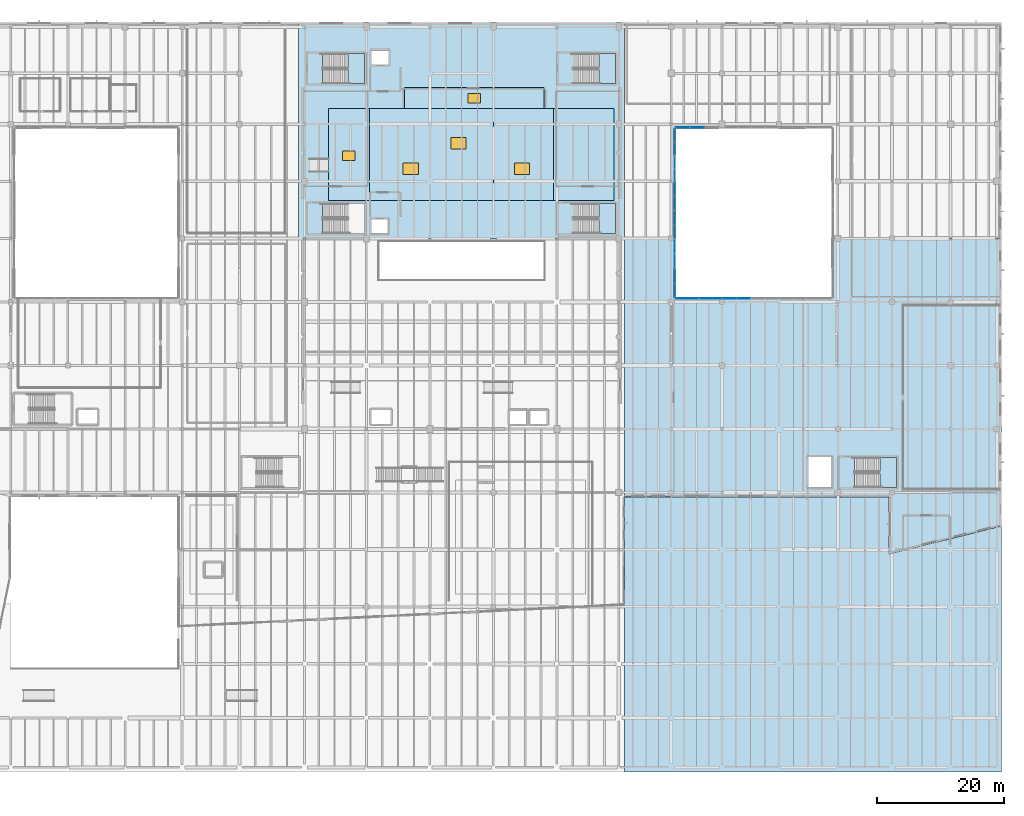
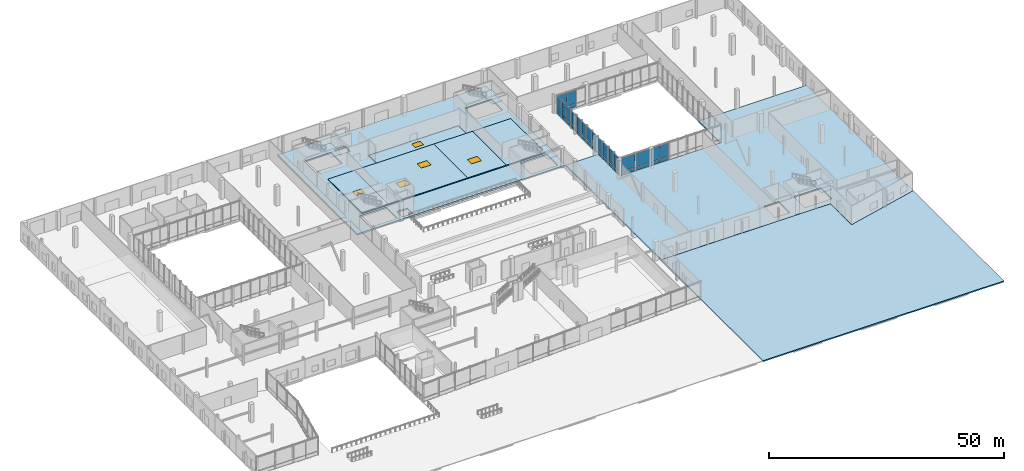
# One storey, part 63 of 88: 36 plates, 12 slabs, 5 doors, 5 openings, 14 elements without a shape of their own.
"""IFC4 building model written with IfcOpenShell, lengths in metres."""

from ifc_helpers import new_model, si_unit, direction, frame, origin, origin_2d, place, context, subcontext, project, spatial, polyline, rectangle, outline, extrude, material, layer, layer_set, type_object, element, fill, aggregate, save


model = new_model("IFC4")

# Units and contexts
model_context = context("Model", 3, precision=1e-05, world=origin(), true_north=direction((0.0, 1.0)))
body_context = subcontext(model_context, "Body", "Model", "MODEL_VIEW")
ifc_project = project(units=[si_unit("LENGTHUNIT", "METRE"), si_unit("AREAUNIT", "SQUARE_METRE"), si_unit("VOLUMEUNIT", "CUBIC_METRE"), si_unit("PLANEANGLEUNIT", "RADIAN"), si_unit("MASSUNIT", "GRAM", prefix="KILO")], contexts=[model_context])

# Site, building, storey
site_placement = place(None, origin())
site = spatial("IfcSite", under=ifc_project, at=site_placement, CompositionType="ELEMENT")
building_placement = place(site_placement, origin())
building = spatial("IfcBuilding", under=site, at=building_placement, Name="Trimount Lyric Opera House", CompositionType="ELEMENT")
storey_placement = place(building_placement, origin())
storey = spatial("IfcBuildingStorey", under=building, at=storey_placement, Name="L00", CompositionType="ELEMENT", Elevation=0.0)

# Curtain wall, plate
ifc_material_1 = material(Name="Thermally Broken Aluminium and Low-E Glass", Category="aluminium")
curtain_wall_type = type_object("IfcCurtainWallType", Name="CW-03", PredefinedType="NOTDEFINED", material=ifc_material_1)
curtain_wall_1_placement = place(storey_placement, origin())
curtain_wall_1 = element("IfcCurtainWall", 1, at=curtain_wall_1_placement, inside=storey, type_object=curtain_wall_type, Name="L00 curtain wall 036", PredefinedType="NOTDEFINED")
ifc_material_2 = material(Name="Triple Low-E Acoustic Laminated Glass", Category="glass")
ifc_layer_1 = layer(ifc_material_2, 0.035888671875)
ifc_layer_set_1 = layer_set([ifc_layer_1], Name="CWP-01")
plate_type_1 = type_object("IfcPlateType", Name="CWP-01", PredefinedType="CURTAIN_PANEL", material=ifc_layer_set_1)
plate_1_placement = place(storey_placement, frame((124.510009765625, 74.5400390625, 0.159912109375), z_axis=(0.0, 0.0, 1.0), x_axis=(1.0, 0.0, 0.0)))
plate_1 = element("IfcPlate", 2, at=plate_1_placement, type_object=plate_type_1, Name="CW-03 panel 1.1", PredefinedType="CURTAIN_PANEL", context=body_context, shape_type="SweptSolid", body=[
    extrude(rectangle(XDim=3.52001953125, YDim=0.035888671875, at=origin_2d()), origin(), (0.0, 0.0, 1.0), 0.81005859375),
])

curtain_wall_2_placement = place(storey_placement, origin())
curtain_wall_2 = element("IfcCurtainWall", 3, at=curtain_wall_2_placement, inside=storey, type_object=curtain_wall_type, Name="L00 curtain wall 037", PredefinedType="NOTDEFINED")
plate_2_placement = place(storey_placement, frame((128.215087890625, 74.5400390625, 0.13525390625), z_axis=(0.0, 0.0, 1.0), x_axis=(1.0, 0.0, 0.0)))
plate_2 = element("IfcPlate", 4, at=plate_2_placement, type_object=plate_type_1, Name="CW-03 panel 1.1", PredefinedType="CURTAIN_PANEL", context=body_context, shape_type="SweptSolid", body=[
    extrude(rectangle(XDim=3.43994140625, YDim=0.035888671875, at=origin_2d()), origin(), (0.0, 0.0, 1.0), 0.847412109375),
])

# Curtain wall, plates
curtain_wall_3_placement = place(storey_placement, origin())
curtain_wall_3 = element("IfcCurtainWall", 5, at=curtain_wall_3_placement, inside=storey, type_object=curtain_wall_type, Name="L00 curtain wall 038", PredefinedType="NOTDEFINED")
plate_3_placement = place(storey_placement, frame((131.20751953125, 74.5400390625, 0.114990234375), z_axis=(0.0, 0.0, 1.0), x_axis=(1.0, 0.0, 0.0)))
plate_3 = element("IfcPlate", 6, at=plate_3_placement, type_object=plate_type_1, Name="CW-03 panel 1.1", PredefinedType="CURTAIN_PANEL", context=body_context, shape_type="SweptSolid", body=[
    extrude(rectangle(XDim=2.114990234375, YDim=0.035888671875, at=origin_2d()), origin(), (0.0, 0.0, 1.0), 0.87744140625),
])
plate_4_placement = place(storey_placement, frame((133.382568359375, 74.5400390625, 0.114990234375), z_axis=(0.0, 0.0, 1.0), x_axis=(1.0, 0.0, 0.0)))
plate_4 = element("IfcPlate", 7, at=plate_4_placement, type_object=plate_type_1, Name="CW-03 panel 2.1", PredefinedType="CURTAIN_PANEL", context=body_context, shape_type="SweptSolid", body=[
    extrude(rectangle(XDim=2.114990234375, YDim=0.035888671875, at=origin_2d()), origin(), (0.0, 0.0, 1.0), 0.87744140625),
])

curtain_wall_4_placement = place(storey_placement, origin())
curtain_wall_4 = element("IfcCurtainWall", 8, at=curtain_wall_4_placement, inside=storey, type_object=curtain_wall_type, Name="L00 curtain wall 052", PredefinedType="NOTDEFINED")
plate_5_placement = place(storey_placement, frame((126.090087890625, 101.4599609375, 0.13525390625), z_axis=(0.0, 0.0, 1.0), x_axis=(-1.0, 0.0, 0.0)))
plate_5 = element("IfcPlate", 9, at=plate_5_placement, type_object=plate_type_1, Name="CW-03 panel 2.1", PredefinedType="CURTAIN_PANEL", context=body_context, shape_type="SweptSolid", body=[
    extrude(rectangle(XDim=2.208251953125, YDim=0.035888671875, at=origin_2d()), origin(), (0.0, 0.0, 1.0), 0.847412109375),
])
plate_6_placement = place(storey_placement, frame((123.8330078125, 101.4599609375, 0.13525390625), z_axis=(0.0, 0.0, 1.0), x_axis=(-1.0, 0.0, 0.0)))
plate_6 = element("IfcPlate", 10, at=plate_6_placement, type_object=plate_type_1, Name="CW-03 panel 3.1", PredefinedType="CURTAIN_PANEL", context=body_context, shape_type="SweptSolid", body=[
    extrude(rectangle(XDim=2.17578125, YDim=0.035888671875, at=origin_2d()), origin(), (0.0, 0.0, 1.0), 0.847412109375),
])

curtain_wall_5_placement = place(storey_placement, origin())
curtain_wall_5 = element("IfcCurtainWall", 11, at=curtain_wall_5_placement, inside=storey, type_object=curtain_wall_type, Name="L00 curtain wall 053", PredefinedType="NOTDEFINED")
plate_7_placement = place(storey_placement, frame((122.5400390625, 100.264892578125, 0.114990234375), z_axis=(0.0, 0.0, 1.0), x_axis=(0.0, -1.0, 0.0)))
plate_7 = element("IfcPlate", 12, at=plate_7_placement, type_object=plate_type_1, Name="CW-03 panel 1.1", PredefinedType="CURTAIN_PANEL", context=body_context, shape_type="SweptSolid", body=[
    extrude(rectangle(XDim=1.989990234375, YDim=0.035888671875, at=origin_2d()), origin(), (0.0, 0.0, 1.0), 0.87744140625),
])
plate_8_placement = place(storey_placement, frame((122.5400390625, 98.215087890625, 0.114990234375), z_axis=(0.0, 0.0, 1.0), x_axis=(0.0, -1.0, 0.0)))
plate_8 = element("IfcPlate", 13, at=plate_8_placement, type_object=plate_type_1, Name="CW-03 panel 2.1", PredefinedType="CURTAIN_PANEL", context=body_context, shape_type="SweptSolid", body=[
    extrude(rectangle(XDim=1.989990234375, YDim=0.035888671875, at=origin_2d()), origin(), (0.0, 0.0, 1.0), 0.87744140625),
])

curtain_wall_6_placement = place(storey_placement, origin())
curtain_wall_6 = element("IfcCurtainWall", 14, at=curtain_wall_6_placement, inside=storey, type_object=curtain_wall_type, Name="L00 curtain wall 054", PredefinedType="NOTDEFINED")
plate_9_placement = place(storey_placement, frame((122.5400390625, 96.034912109375, 0.159912109375), z_axis=(0.0, 0.0, 1.0), x_axis=(0.0, -1.0, 0.0)))
plate_9 = element("IfcPlate", 15, at=plate_9_placement, type_object=plate_type_1, Name="CW-03 panel 1.1", PredefinedType="CURTAIN_PANEL", context=body_context, shape_type="SweptSolid", body=[
    extrude(rectangle(XDim=1.929931640625, YDim=0.035888671875, at=origin_2d()), origin(), (0.0, 0.0, 1.0), 0.81005859375),
])
plate_10_placement = place(storey_placement, frame((122.5400390625, 94.034912109375, 0.159912109375), z_axis=(0.0, 0.0, 1.0), x_axis=(0.0, -1.0, 0.0)))
plate_10 = element("IfcPlate", 16, at=plate_10_placement, type_object=plate_type_1, Name="CW-03 panel 2.1", PredefinedType="CURTAIN_PANEL", context=body_context, shape_type="SweptSolid", body=[
    extrude(rectangle(XDim=1.929931640625, YDim=0.035888671875, at=origin_2d()), origin(), (0.0, 0.0, 1.0), 0.81005859375),
])

curtain_wall_7_placement = place(storey_placement, origin())
curtain_wall_7 = element("IfcCurtainWall", 17, at=curtain_wall_7_placement, inside=storey, type_object=curtain_wall_type, Name="L00 curtain wall 055", PredefinedType="NOTDEFINED")
plate_11_placement = place(storey_placement, frame((122.5400390625, 91.791259765625, 0.13525390625), z_axis=(0.0, 0.0, 1.0), x_axis=(0.0, -1.0, 0.0)))
plate_11 = element("IfcPlate", 18, at=plate_11_placement, type_object=plate_type_1, Name="CW-03 panel 1.1", PredefinedType="CURTAIN_PANEL", context=body_context, shape_type="SweptSolid", body=[
    extrude(rectangle(XDim=2.107421875, YDim=0.035888671875, at=origin_2d()), origin(), (0.0, 0.0, 1.0), 0.847412109375),
])
plate_12_placement = place(storey_placement, frame((122.5400390625, 89.61865234375, 0.13525390625), z_axis=(0.0, 0.0, 1.0), x_axis=(0.0, -1.0, 0.0)))
plate_12 = element("IfcPlate", 19, at=plate_12_placement, type_object=plate_type_1, Name="CW-03 panel 2.1", PredefinedType="CURTAIN_PANEL", context=body_context, shape_type="SweptSolid", body=[
    extrude(rectangle(XDim=2.107421875, YDim=0.035888671875, at=origin_2d()), origin(), (0.0, 0.0, 1.0), 0.847412109375),
])

curtain_wall_8_placement = place(storey_placement, origin())
curtain_wall_8 = element("IfcCurtainWall", 20, at=curtain_wall_8_placement, inside=storey, type_object=curtain_wall_type, Name="L00 curtain wall 056", PredefinedType="NOTDEFINED")
plate_13_placement = place(storey_placement, frame((122.5400390625, 87.29248046875, 0.114990234375), z_axis=(0.0, 0.0, 1.0), x_axis=(0.0, -1.0, 0.0)))
plate_13 = element("IfcPlate", 21, at=plate_13_placement, type_object=plate_type_1, Name="CW-03 panel 1.1", PredefinedType="CURTAIN_PANEL", context=body_context, shape_type="SweptSolid", body=[
    extrude(rectangle(XDim=2.114990234375, YDim=0.035888671875, at=origin_2d()), origin(), (0.0, 0.0, 1.0), 0.87744140625),
])
plate_14_placement = place(storey_placement, frame((122.5400390625, 85.117431640625, 0.114990234375), z_axis=(0.0, 0.0, 1.0), x_axis=(0.0, -1.0, 0.0)))
plate_14 = element("IfcPlate", 22, at=plate_14_placement, type_object=plate_type_1, Name="CW-03 panel 2.1", PredefinedType="CURTAIN_PANEL", context=body_context, shape_type="SweptSolid", body=[
    extrude(rectangle(XDim=2.114990234375, YDim=0.035888671875, at=origin_2d()), origin(), (0.0, 0.0, 1.0), 0.87744140625),
])

curtain_wall_9_placement = place(storey_placement, origin())
curtain_wall_9 = element("IfcCurtainWall", 23, at=curtain_wall_9_placement, inside=storey, type_object=curtain_wall_type, Name="L00 curtain wall 057", PredefinedType="NOTDEFINED")
plate_15_placement = place(storey_placement, frame((122.5400390625, 82.75, 0.159912109375), z_axis=(0.0, 0.0, 1.0), x_axis=(0.0, -1.0, 0.0)))
plate_15 = element("IfcPlate", 24, at=plate_15_placement, type_object=plate_type_1, Name="CW-03 panel 1.1", PredefinedType="CURTAIN_PANEL", context=body_context, shape_type="SweptSolid", body=[
    extrude(rectangle(XDim=2.179931640625, YDim=0.035888671875, at=origin_2d()), origin(), (0.0, 0.0, 1.0), 0.81005859375),
])
plate_16_placement = place(storey_placement, frame((122.5400390625, 80.5, 0.159912109375), z_axis=(0.0, 0.0, 1.0), x_axis=(0.0, -1.0, 0.0)))
plate_16 = element("IfcPlate", 25, at=plate_16_placement, type_object=plate_type_1, Name="CW-03 panel 2.1", PredefinedType="CURTAIN_PANEL", context=body_context, shape_type="SweptSolid", body=[
    extrude(rectangle(XDim=2.179931640625, YDim=0.035888671875, at=origin_2d()), origin(), (0.0, 0.0, 1.0), 0.81005859375),
])

curtain_wall_10_placement = place(storey_placement, origin())
curtain_wall_10 = element("IfcCurtainWall", 26, at=curtain_wall_10_placement, inside=storey, type_object=curtain_wall_type, Name="L00 curtain wall 058", PredefinedType="NOTDEFINED")
plate_17_placement = place(storey_placement, frame((122.5400390625, 78.09130859375, 0.13525390625), z_axis=(0.0, 0.0, 1.0), x_axis=(0.0, -1.0, 0.0)))
plate_17 = element("IfcPlate", 27, at=plate_17_placement, type_object=plate_type_1, Name="CW-03 panel 1.1", PredefinedType="CURTAIN_PANEL", context=body_context, shape_type="SweptSolid", body=[
    extrude(rectangle(XDim=2.1875, YDim=0.035888671875, at=origin_2d()), origin(), (0.0, 0.0, 1.0), 0.847412109375),
])
plate_18_placement = place(storey_placement, frame((122.5400390625, 75.8388671875, 0.13525390625), z_axis=(0.0, 0.0, 1.0), x_axis=(0.0, -1.0, 0.0)))
plate_18 = element("IfcPlate", 28, at=plate_18_placement, type_object=plate_type_1, Name="CW-03 panel 2.1", PredefinedType="CURTAIN_PANEL", context=body_context, shape_type="SweptSolid", body=[
    extrude(rectangle(XDim=2.1875, YDim=0.035888671875, at=origin_2d()), origin(), (0.0, 0.0, 1.0), 0.847412109375),
])

# Plate
ifc_material_3 = material(Name="Insulated Aluminium Shadow-Box Spandrel Panel", Category="aluminium")
ifc_layer_2 = layer(ifc_material_3, 0.0419921875)
ifc_layer_set_2 = layer_set([ifc_layer_2], Name="CWP-04")
plate_type_2 = type_object("IfcPlateType", Name="CWP-04", PredefinedType="CURTAIN_PANEL", material=ifc_layer_set_2)
plate_19_placement = place(storey_placement, frame((124.510009765625, 74.5400390625, 1.1298828125), z_axis=(0.0, 0.0, 1.0), x_axis=(1.0, 0.0, 0.0)))
plate_19 = element("IfcPlate", 29, at=plate_19_placement, type_object=plate_type_2, Name="CW-03 panel 1.2", PredefinedType="CURTAIN_PANEL", context=body_context, shape_type="SweptSolid", body=[
    extrude(rectangle(XDim=3.52001953125, YDim=0.035888671875, at=origin_2d()), origin(), (0.0, 0.0, 1.0), 3.429931640625),
])

aggregate(curtain_wall_1, [plate_1, plate_19])

plate_20_placement = place(storey_placement, frame((128.215087890625, 74.5400390625, 1.11767578125), z_axis=(0.0, 0.0, 1.0), x_axis=(1.0, 0.0, 0.0)))
plate_20 = element("IfcPlate", 30, at=plate_20_placement, type_object=plate_type_2, Name="CW-03 panel 1.2", PredefinedType="CURTAIN_PANEL", context=body_context, shape_type="SweptSolid", body=[
    extrude(rectangle(XDim=3.43994140625, YDim=0.035888671875, at=origin_2d()), origin(), (0.0, 0.0, 1.0), 3.467529296875),
])

aggregate(curtain_wall_2, [plate_2, plate_20])

plate_21_placement = place(storey_placement, frame((131.20751953125, 74.5400390625, 1.107421875), z_axis=(0.0, 0.0, 1.0), x_axis=(1.0, 0.0, 0.0)))
plate_21 = element("IfcPlate", 31, at=plate_21_placement, type_object=plate_type_2, Name="CW-03 panel 1.2", PredefinedType="CURTAIN_PANEL", context=body_context, shape_type="SweptSolid", body=[
    extrude(rectangle(XDim=2.114990234375, YDim=0.035888671875, at=origin_2d()), origin(), (0.0, 0.0, 1.0), 3.49755859375),
])

plate_22_placement = place(storey_placement, frame((133.382568359375, 74.5400390625, 1.107421875), z_axis=(0.0, 0.0, 1.0), x_axis=(1.0, 0.0, 0.0)))
plate_22 = element("IfcPlate", 32, at=plate_22_placement, type_object=plate_type_2, Name="CW-03 panel 2.2", PredefinedType="CURTAIN_PANEL", context=body_context, shape_type="SweptSolid", body=[
    extrude(rectangle(XDim=2.114990234375, YDim=0.035888671875, at=origin_2d()), origin(), (0.0, 0.0, 1.0), 3.49755859375),
])

aggregate(curtain_wall_3, [plate_3, plate_21, plate_4, plate_22])

plate_23_placement = place(storey_placement, frame((126.090087890625, 101.4599609375, 1.117431640625), z_axis=(0.0, 0.0, 1.0), x_axis=(-1.0, 0.0, 0.0)))
plate_23 = element("IfcPlate", 33, at=plate_23_placement, type_object=plate_type_2, Name="CW-03 panel 2.2", PredefinedType="CURTAIN_PANEL", context=body_context, shape_type="SweptSolid", body=[
    extrude(rectangle(XDim=2.208251953125, YDim=0.035888671875, at=origin_2d()), origin(), (0.0, 0.0, 1.0), 3.4375),
])

plate_24_placement = place(storey_placement, frame((123.8330078125, 101.4599609375, 1.117431640625), z_axis=(0.0, 0.0, 1.0), x_axis=(-1.0, 0.0, 0.0)))
plate_24 = element("IfcPlate", 34, at=plate_24_placement, type_object=plate_type_2, Name="CW-03 panel 3.2", PredefinedType="CURTAIN_PANEL", context=body_context, shape_type="SweptSolid", body=[
    extrude(rectangle(XDim=2.17578125, YDim=0.035888671875, at=origin_2d()), origin(), (0.0, 0.0, 1.0), 3.4375),
])

aggregate(curtain_wall_4, [plate_5, plate_23, plate_6, plate_24])

plate_25_placement = place(storey_placement, frame((122.5400390625, 100.264892578125, 1.107421875), z_axis=(0.0, 0.0, 1.0), x_axis=(0.0, -1.0, 0.0)))
plate_25 = element("IfcPlate", 35, at=plate_25_placement, type_object=plate_type_2, Name="CW-03 panel 1.2", PredefinedType="CURTAIN_PANEL", context=body_context, shape_type="SweptSolid", body=[
    extrude(rectangle(XDim=1.989990234375, YDim=0.035888671875, at=origin_2d()), origin(), (0.0, 0.0, 1.0), 3.467529296875),
])

plate_26_placement = place(storey_placement, frame((122.5400390625, 98.215087890625, 1.107421875), z_axis=(0.0, 0.0, 1.0), x_axis=(0.0, -1.0, 0.0)))
plate_26 = element("IfcPlate", 36, at=plate_26_placement, type_object=plate_type_2, Name="CW-03 panel 2.2", PredefinedType="CURTAIN_PANEL", context=body_context, shape_type="SweptSolid", body=[
    extrude(rectangle(XDim=1.989990234375, YDim=0.035888671875, at=origin_2d()), origin(), (0.0, 0.0, 1.0), 3.467529296875),
])

aggregate(curtain_wall_5, [plate_7, plate_25, plate_8, plate_26])

plate_27_placement = place(storey_placement, frame((122.5400390625, 96.034912109375, 1.130126953125), z_axis=(0.0, 0.0, 1.0), x_axis=(0.0, -1.0, 0.0)))
plate_27 = element("IfcPlate", 37, at=plate_27_placement, type_object=plate_type_2, Name="CW-03 panel 1.2", PredefinedType="CURTAIN_PANEL", context=body_context, shape_type="SweptSolid", body=[
    extrude(rectangle(XDim=1.929931640625, YDim=0.035888671875, at=origin_2d()), origin(), (0.0, 0.0, 1.0), 3.39990234375),
])

plate_28_placement = place(storey_placement, frame((122.5400390625, 94.034912109375, 1.130126953125), z_axis=(0.0, 0.0, 1.0), x_axis=(0.0, -1.0, 0.0)))
plate_28 = element("IfcPlate", 38, at=plate_28_placement, type_object=plate_type_2, Name="CW-03 panel 2.2", PredefinedType="CURTAIN_PANEL", context=body_context, shape_type="SweptSolid", body=[
    extrude(rectangle(XDim=1.929931640625, YDim=0.035888671875, at=origin_2d()), origin(), (0.0, 0.0, 1.0), 3.39990234375),
])

aggregate(curtain_wall_6, [plate_9, plate_27, plate_10, plate_28])

plate_29_placement = place(storey_placement, frame((122.5400390625, 91.791259765625, 1.117431640625), z_axis=(0.0, 0.0, 1.0), x_axis=(0.0, -1.0, 0.0)))
plate_29 = element("IfcPlate", 39, at=plate_29_placement, type_object=plate_type_2, Name="CW-03 panel 1.2", PredefinedType="CURTAIN_PANEL", context=body_context, shape_type="SweptSolid", body=[
    extrude(rectangle(XDim=2.107421875, YDim=0.035888671875, at=origin_2d()), origin(), (0.0, 0.0, 1.0), 3.4375),
])

plate_30_placement = place(storey_placement, frame((122.5400390625, 89.61865234375, 1.117431640625), z_axis=(0.0, 0.0, 1.0), x_axis=(0.0, -1.0, 0.0)))
plate_30 = element("IfcPlate", 40, at=plate_30_placement, type_object=plate_type_2, Name="CW-03 panel 2.2", PredefinedType="CURTAIN_PANEL", context=body_context, shape_type="SweptSolid", body=[
    extrude(rectangle(XDim=2.107421875, YDim=0.035888671875, at=origin_2d()), origin(), (0.0, 0.0, 1.0), 3.4375),
])

aggregate(curtain_wall_7, [plate_11, plate_29, plate_12, plate_30])

plate_31_placement = place(storey_placement, frame((122.5400390625, 87.29248046875, 1.107421875), z_axis=(0.0, 0.0, 1.0), x_axis=(0.0, -1.0, 0.0)))
plate_31 = element("IfcPlate", 41, at=plate_31_placement, type_object=plate_type_2, Name="CW-03 panel 1.2", PredefinedType="CURTAIN_PANEL", context=body_context, shape_type="SweptSolid", body=[
    extrude(rectangle(XDim=2.114990234375, YDim=0.035888671875, at=origin_2d()), origin(), (0.0, 0.0, 1.0), 3.467529296875),
])

plate_32_placement = place(storey_placement, frame((122.5400390625, 85.117431640625, 1.107421875), z_axis=(0.0, 0.0, 1.0), x_axis=(0.0, -1.0, 0.0)))
plate_32 = element("IfcPlate", 42, at=plate_32_placement, type_object=plate_type_2, Name="CW-03 panel 2.2", PredefinedType="CURTAIN_PANEL", context=body_context, shape_type="SweptSolid", body=[
    extrude(rectangle(XDim=2.114990234375, YDim=0.035888671875, at=origin_2d()), origin(), (0.0, 0.0, 1.0), 3.467529296875),
])

aggregate(curtain_wall_8, [plate_13, plate_31, plate_14, plate_32])

plate_33_placement = place(storey_placement, frame((122.5400390625, 82.75, 1.130126953125), z_axis=(0.0, 0.0, 1.0), x_axis=(0.0, -1.0, 0.0)))
plate_33 = element("IfcPlate", 43, at=plate_33_placement, type_object=plate_type_2, Name="CW-03 panel 1.2", PredefinedType="CURTAIN_PANEL", context=body_context, shape_type="SweptSolid", body=[
    extrude(rectangle(XDim=2.179931640625, YDim=0.035888671875, at=origin_2d()), origin(), (0.0, 0.0, 1.0), 3.39990234375),
])

plate_34_placement = place(storey_placement, frame((122.5400390625, 80.5, 1.130126953125), z_axis=(0.0, 0.0, 1.0), x_axis=(0.0, -1.0, 0.0)))
plate_34 = element("IfcPlate", 44, at=plate_34_placement, type_object=plate_type_2, Name="CW-03 panel 2.2", PredefinedType="CURTAIN_PANEL", context=body_context, shape_type="SweptSolid", body=[
    extrude(rectangle(XDim=2.179931640625, YDim=0.035888671875, at=origin_2d()), origin(), (0.0, 0.0, 1.0), 3.39990234375),
])

aggregate(curtain_wall_9, [plate_15, plate_33, plate_16, plate_34])

plate_35_placement = place(storey_placement, frame((122.5400390625, 78.09130859375, 1.117431640625), z_axis=(0.0, 0.0, 1.0), x_axis=(0.0, -1.0, 0.0)))
plate_35 = element("IfcPlate", 45, at=plate_35_placement, type_object=plate_type_2, Name="CW-03 panel 1.2", PredefinedType="CURTAIN_PANEL", context=body_context, shape_type="SweptSolid", body=[
    extrude(rectangle(XDim=2.1875, YDim=0.035888671875, at=origin_2d()), origin(), (0.0, 0.0, 1.0), 3.4375),
])

plate_36_placement = place(storey_placement, frame((122.5400390625, 75.8388671875, 1.117431640625), z_axis=(0.0, 0.0, 1.0), x_axis=(0.0, -1.0, 0.0)))
plate_36 = element("IfcPlate", 46, at=plate_36_placement, type_object=plate_type_2, Name="CW-03 panel 2.2", PredefinedType="CURTAIN_PANEL", context=body_context, shape_type="SweptSolid", body=[
    extrude(rectangle(XDim=2.1875, YDim=0.035888671875, at=origin_2d()), origin(), (0.0, 0.0, 1.0), 3.4375),
])

aggregate(curtain_wall_10, [plate_17, plate_35, plate_18, plate_36])

# Slabs
ifc_material_4 = material(Name="Concrete C40/50", Category="concrete")
ifc_layer_3 = layer(ifc_material_4, 0.300048828125)
ifc_layer_set_3 = layer_set([ifc_layer_3], Name="SL-EXT300")
slab_type_1 = type_object("IfcSlabType", Name="SL-EXT300", PredefinedType="FLOOR", material=ifc_layer_set_3)
slab_1_placement = place(storey_placement, frame((0.0, 0.0, -0.300048828125)))
element("IfcSlab", 47, at=slab_1_placement, inside=storey, type_object=slab_type_1, Name="L00 terrace slab L00-APRON-EXT", PredefinedType="FLOOR", context=body_context, shape_type="SweptSolid", body=[
    extrude(outline(polyline([(114.679931640625, 0.0), (114.679931640625, 43.320068359375), (156.320068359375, 43.320068359375), (156.320068359375, 34.320068359375), (174.0, 38.719970703125), (174.0, 0.0), (114.679931640625, 0.0)])), origin(), (0.0, 0.0, 1.0), 0.300048828125),
])
ifc_material_5 = material(Name="Concrete C40/50", Category="concrete")
ifc_layer_4 = layer(ifc_material_5, 0.3798828125)
ifc_layer_set_4 = layer_set([ifc_layer_4], Name="SL-FL380")
slab_type_2 = type_object("IfcSlabType", Name="SL-FL380", PredefinedType="FLOOR", material=ifc_layer_set_4)
slab_2_placement = place(storey_placement, frame((0.0, 0.0, -0.3798828125)))
element("IfcSlab", 48, at=slab_2_placement, inside=storey, type_object=slab_type_2, Name="L00 floor slab L00-EAST-S", PredefinedType="FLOOR", context=body_context, shape_type="SweptSolid", body=[
    extrude(outline(polyline([(156.320068359375, 34.320068359375), (156.320068359375, 43.320068359375), (114.679931640625, 43.320068359375), (114.679931640625, 84.0), (122.679931640625, 84.0), (122.679931640625, 74.679931640625), (147.320068359375, 74.679931640625), (147.320068359375, 84.0), (174.0, 84.0), (174.0, 38.719970703125), (156.320068359375, 34.320068359375)]), holes=[polyline([(157.5, 49.5), (150.89990234375, 49.5), (150.89990234375, 44.800048828125), (157.5, 44.800048828125), (157.5, 49.5)]), polyline([(147.199951171875, 49.60009765625), (143.60009765625, 49.60009765625), (143.60009765625, 44.800048828125), (147.199951171875, 44.800048828125), (147.199951171875, 49.60009765625)])]), origin(), (0.0, 0.0, 1.0), 0.3798828125),
])
ifc_material_6 = material(Name="Concrete C40/50", Category="concrete")
ifc_layer_5 = layer(ifc_material_6, 0.39990234375)
ifc_layer_set_5 = layer_set([ifc_layer_5], Name="SL-FL400")
slab_type_3 = type_object("IfcSlabType", Name="SL-FL400", PredefinedType="FLOOR", material=ifc_layer_set_5)
slab_3_placement = place(storey_placement, frame((0.0, 0.0, -0.39990234375)))
element("IfcSlab", 49, at=slab_3_placement, inside=storey, type_object=slab_type_3, Name="L00 floor slab L00-VOL1-STG", PredefinedType="FLOOR", context=body_context, shape_type="SweptSolid", body=[
    extrude(outline(polyline([(114.679931640625, 118.0), (114.679931640625, 84.0), (63.320068359375, 84.0), (63.320068359375, 118.0), (114.679931640625, 118.0)]), holes=[polyline([(113.199951171875, 89.5), (106.60009765625, 89.5), (106.60009765625, 84.800048828125), (113.199951171875, 84.800048828125), (113.199951171875, 89.5)]), polyline([(113.199951171875, 113.10009765625), (106.60009765625, 113.10009765625), (106.60009765625, 108.39990234375), (113.199951171875, 108.39990234375), (113.199951171875, 113.10009765625)]), polyline([(77.5, 113.60009765625), (74.800048828125, 113.60009765625), (74.800048828125, 111.39990234375), (77.5, 111.39990234375), (77.5, 113.60009765625)]), polyline([(77.39990234375, 87.0), (74.800048828125, 87.0), (74.800048828125, 84.800048828125), (77.39990234375, 84.800048828125), (77.39990234375, 87.0)]), polyline([(73.699951171875, 89.5), (67.10009765625, 89.5), (67.10009765625, 84.800048828125), (73.699951171875, 84.800048828125), (73.699951171875, 89.5)]), polyline([(73.699951171875, 113.10009765625), (67.10009765625, 113.10009765625), (67.10009765625, 108.39990234375), (73.699951171875, 108.39990234375), (73.699951171875, 113.10009765625)])]), origin(), (0.0, 0.0, 1.0), 0.39990234375),
])

# Stair, slab
ifc_material_7 = material(Name="Concrete C40/50", Category="concrete")
stair_type = type_object("IfcStairType", Name="STR-CORE-A", PredefinedType="TWO_QUARTER_TURN_STAIR", material=ifc_material_7)
stair_1_placement = place(storey_placement, origin())
stair_1 = element("IfcStair", 50, at=stair_1_placement, inside=storey, type_object=stair_type, Name="L00 Exit Stair ST-01", PredefinedType="TWO_QUARTER_TURN_STAIR")
ifc_material_8 = material(Name="Concrete C40/50", Category="concrete")
ifc_layer_6 = layer(ifc_material_8, 0.199951171875)
ifc_layer_set_6 = layer_set([ifc_layer_6], Name="SL-LND200")
slab_type_4 = type_object("IfcSlabType", Name="SL-LND200", PredefinedType="LANDING", material=ifc_layer_set_6)
slab_4_placement = place(storey_placement, frame((0.0, 0.0, 2.300048828125)))
slab_4 = element("IfcSlab", 51, at=slab_4_placement, type_object=slab_type_4, Name="ST-01 landing 1", PredefinedType="LANDING", context=body_context, shape_type="SweptSolid", body=[
    extrude(outline(polyline([(71.110107421875, 108.39990234375), (73.699951171875, 108.39990234375), (73.699951171875, 113.10009765625), (71.110107421875, 113.10009765625), (71.110107421875, 108.39990234375)])), origin(), (0.0, 0.0, 1.0), 0.199951171875),
])
aggregate(stair_1, [slab_4])

stair_2_placement = place(storey_placement, origin())
stair_2 = element("IfcStair", 52, at=stair_2_placement, inside=storey, type_object=stair_type, Name="L00 Exit Stair ST-02", PredefinedType="TWO_QUARTER_TURN_STAIR")
slab_5_placement = place(storey_placement, frame((0.0, 0.0, 2.300048828125)))
slab_5 = element("IfcSlab", 53, at=slab_5_placement, type_object=slab_type_4, Name="ST-02 landing 1", PredefinedType="LANDING", context=body_context, shape_type="SweptSolid", body=[
    extrude(outline(polyline([(110.610107421875, 108.39990234375), (113.199951171875, 108.39990234375), (113.199951171875, 113.10009765625), (110.610107421875, 113.10009765625), (110.610107421875, 108.39990234375)])), origin(), (0.0, 0.0, 1.0), 0.199951171875),
])
aggregate(stair_2, [slab_5])

stair_3_placement = place(storey_placement, origin())
stair_3 = element("IfcStair", 54, at=stair_3_placement, inside=storey, type_object=stair_type, Name="L00 Exit Stair ST-04", PredefinedType="TWO_QUARTER_TURN_STAIR")
slab_6_placement = place(storey_placement, frame((0.0, 0.0, 2.300048828125)))
slab_6 = element("IfcSlab", 55, at=slab_6_placement, type_object=slab_type_4, Name="ST-04 landing 1", PredefinedType="LANDING", context=body_context, shape_type="SweptSolid", body=[
    extrude(outline(polyline([(110.610107421875, 84.800048828125), (113.199951171875, 84.800048828125), (113.199951171875, 89.5), (110.610107421875, 89.5), (110.610107421875, 84.800048828125)])), origin(), (0.0, 0.0, 1.0), 0.199951171875),
])
aggregate(stair_3, [slab_6])

stair_4_placement = place(storey_placement, origin())
stair_4 = element("IfcStair", 56, at=stair_4_placement, inside=storey, type_object=stair_type, Name="L00 Exit Stair ST-05", PredefinedType="TWO_QUARTER_TURN_STAIR")
slab_7_placement = place(storey_placement, frame((0.0, 0.0, 2.300048828125)))
slab_7 = element("IfcSlab", 57, at=slab_7_placement, type_object=slab_type_4, Name="ST-05 landing 1", PredefinedType="LANDING", context=body_context, shape_type="SweptSolid", body=[
    extrude(outline(polyline([(154.909912109375, 44.800048828125), (157.5, 44.800048828125), (157.5, 49.5), (154.909912109375, 49.5), (154.909912109375, 44.800048828125)])), origin(), (0.0, 0.0, 1.0), 0.199951171875),
])
aggregate(stair_4, [slab_7])

# Slab, openings, doors
ifc_material_9 = material(Name="Concrete C40/50", Category="concrete")
ifc_layer_7 = layer(ifc_material_9, 0.22998046875)
ifc_layer_set_7 = layer_set([ifc_layer_7], Name="SL-STG230")
slab_type_5 = type_object("IfcSlabType", Name="SL-STG230", PredefinedType="USERDEFINED", material=ifc_layer_set_7)
slab_8_placement = place(storey_placement, origin())
slab_8 = element("IfcSlab", 58, at=slab_8_placement, inside=storey, type_object=slab_type_5, Name="Main Stage West Modular Deck", ObjectType="STAGE_DECK", PredefinedType="USERDEFINED", context=body_context, shape_type="SweptSolid", body=[
    extrude(outline(polyline([(74.5, 90.0), (94.0, 90.0), (94.0, 104.5), (74.5, 104.5), (74.5, 90.0)])), origin(), (0.0, 0.0, 1.0), 0.22998046875),
])
opening_1_placement = place(slab_8_placement, frame((81.0, 95.0, 0.0)))
opening_1 = element("IfcOpeningElement", 59, at=opening_1_placement, cuts=slab_8, Name="Opening DT-TR1", PredefinedType="OPENING", context=body_context, shape_type="SweptSolid", body=[
    extrude(rectangle(XDim=2.39990234375, YDim=1.800048828125, at=origin_2d()), frame((0.0, 0.0, -0.010009765625)), (0.0, 0.0, 1.0), 0.25),
])
opening_2_placement = place(slab_8_placement, frame((88.5, 99.0, 0.0)))
opening_2 = element("IfcOpeningElement", 60, at=opening_2_placement, cuts=slab_8, Name="Opening DT-TR1", PredefinedType="OPENING", context=body_context, shape_type="SweptSolid", body=[
    extrude(rectangle(XDim=2.39990234375, YDim=1.800048828125, at=origin_2d()), frame((0.0, 0.0, -0.010009765625)), (0.0, 0.0, 1.0), 0.25),
])
ifc_material_10 = material(Name="Laminated White Oak Stage Deck")
door_type_1 = type_object("IfcDoorType", Name="DT-TR1", OperationType="SINGLE_SWING_LEFT", PredefinedType="TRAPDOOR", material=ifc_material_10)
door_1_placement = place(opening_1_placement, frame((0.0, 0.0, 0.179931640625)))
door_1 = element("IfcDoor", 61, at=door_1_placement, inside=storey, type_object=door_type_1, Name="D-001", OperationType="SINGLE_SWING_LEFT", OverallHeight=1.800048828125, OverallWidth=2.39990234375, PredefinedType="TRAPDOOR", context=body_context, shape_type="SweptSolid", body=[
    extrude(rectangle(XDim=2.39990234375, YDim=1.800048828125, at=origin_2d()), origin(), (0.0, 0.0, 1.0), 0.050048828125),
])
fill(opening_1, door_1)
door_2_placement = place(opening_2_placement, frame((0.0, 0.0, 0.179931640625)))
door_2 = element("IfcDoor", 62, at=door_2_placement, inside=storey, type_object=door_type_1, Name="D-002", OperationType="SINGLE_SWING_LEFT", OverallHeight=1.800048828125, OverallWidth=2.39990234375, PredefinedType="TRAPDOOR", context=body_context, shape_type="SweptSolid", body=[
    extrude(rectangle(XDim=2.39990234375, YDim=1.800048828125, at=origin_2d()), origin(), (0.0, 0.0, 1.0), 0.050048828125),
])
fill(opening_2, door_2)

# Slab, opening, door
slab_9_placement = place(storey_placement, origin())
slab_9 = element("IfcSlab", 63, at=slab_9_placement, inside=storey, type_object=slab_type_5, Name="Main Stage East Modular Deck", ObjectType="STAGE_DECK", PredefinedType="USERDEFINED", context=body_context, shape_type="SweptSolid", body=[
    extrude(outline(polyline([(94.0, 90.0), (103.5, 90.0), (103.5, 104.5), (94.0, 104.5), (94.0, 90.0)])), origin(), (0.0, 0.0, 1.0), 0.22998046875),
])
opening_3_placement = place(slab_9_placement, frame((98.5, 95.0, 0.0)))
opening_3 = element("IfcOpeningElement", 64, at=opening_3_placement, cuts=slab_9, Name="Opening DT-TR1", PredefinedType="OPENING", context=body_context, shape_type="SweptSolid", body=[
    extrude(rectangle(XDim=2.39990234375, YDim=1.800048828125, at=origin_2d()), frame((0.0, 0.0, -0.010009765625)), (0.0, 0.0, 1.0), 0.25),
])
door_3_placement = place(opening_3_placement, frame((0.0, 0.0, 0.179931640625)))
door_3 = element("IfcDoor", 65, at=door_3_placement, inside=storey, type_object=door_type_1, Name="D-003", OperationType="SINGLE_SWING_LEFT", OverallHeight=1.800048828125, OverallWidth=2.39990234375, PredefinedType="TRAPDOOR", context=body_context, shape_type="SweptSolid", body=[
    extrude(rectangle(XDim=2.39990234375, YDim=1.800048828125, at=origin_2d()), origin(), (0.0, 0.0, 1.0), 0.050048828125),
])
fill(opening_3, door_3)

slab_10_placement = place(storey_placement, origin())
slab_10 = element("IfcSlab", 66, at=slab_10_placement, inside=storey, type_object=slab_type_5, Name="West Side Stage Wagon Deck", ObjectType="STAGE_DECK", PredefinedType="USERDEFINED", context=body_context, shape_type="SweptSolid", body=[
    extrude(outline(polyline([(68.0, 90.0), (74.5, 90.0), (74.5, 104.5), (68.0, 104.5), (68.0, 90.0)])), origin(), (0.0, 0.0, 1.0), 0.22998046875),
])
opening_4_placement = place(slab_10_placement, frame((71.199951171875, 97.0, 0.0)))
opening_4 = element("IfcOpeningElement", 67, at=opening_4_placement, cuts=slab_10, Name="Opening DT-TR2", PredefinedType="OPENING", context=body_context, shape_type="SweptSolid", body=[
    extrude(rectangle(XDim=2.0, YDim=1.5, at=origin_2d()), frame((0.0, 0.0, -0.010009765625)), (0.0, 0.0, 1.0), 0.25),
])
ifc_material_11 = material(Name="Laminated White Oak Stage Deck")
door_type_2 = type_object("IfcDoorType", Name="DT-TR2", OperationType="SINGLE_SWING_RIGHT", PredefinedType="TRAPDOOR", material=ifc_material_11)
door_4_placement = place(opening_4_placement, frame((0.0, 0.0, 0.179931640625)))
door_4 = element("IfcDoor", 68, at=door_4_placement, inside=storey, type_object=door_type_2, Name="D-004", OperationType="SINGLE_SWING_RIGHT", OverallHeight=1.5, OverallWidth=2.0, PredefinedType="TRAPDOOR", context=body_context, shape_type="SweptSolid", body=[
    extrude(rectangle(XDim=2.0, YDim=1.5, at=origin_2d()), origin(), (0.0, 0.0, 1.0), 0.050048828125),
])
fill(opening_4, door_4)

# Slab
slab_11_placement = place(storey_placement, origin())
element("IfcSlab", 69, at=slab_11_placement, inside=storey, type_object=slab_type_5, Name="East Side Stage Wagon Deck", ObjectType="STAGE_DECK", PredefinedType="USERDEFINED", context=body_context, shape_type="SweptSolid", body=[
    extrude(outline(polyline([(103.5, 90.0), (113.0, 90.0), (113.0, 104.5), (103.5, 104.5), (103.5, 90.0)])), origin(), (0.0, 0.0, 1.0), 0.22998046875),
])

# Slab, opening, door
slab_12_placement = place(storey_placement, origin())
slab_12 = element("IfcSlab", 70, at=slab_12_placement, inside=storey, type_object=slab_type_5, Name="Rear Stage Turntable Deck", ObjectType="STAGE_DECK", PredefinedType="USERDEFINED", context=body_context, shape_type="SweptSolid", body=[
    extrude(outline(polyline([(80.0, 104.5), (102.0, 104.5), (102.0, 107.800048828125), (80.0, 107.800048828125), (80.0, 104.5)])), origin(), (0.0, 0.0, 1.0), 0.22998046875),
])
opening_5_placement = place(slab_12_placement, frame((91.0, 106.10009765625, 0.0)))
opening_5 = element("IfcOpeningElement", 71, at=opening_5_placement, cuts=slab_12, Name="Opening DT-TR2", PredefinedType="OPENING", context=body_context, shape_type="SweptSolid", body=[
    extrude(rectangle(XDim=2.0, YDim=1.5, at=origin_2d()), frame((0.0, 0.0, -0.010009765625)), (0.0, 0.0, 1.0), 0.25),
])
door_5_placement = place(opening_5_placement, frame((0.0, 0.0, 0.179931640625)))
door_5 = element("IfcDoor", 72, at=door_5_placement, inside=storey, type_object=door_type_2, Name="D-005", OperationType="SINGLE_SWING_RIGHT", OverallHeight=1.5, OverallWidth=2.0, PredefinedType="TRAPDOOR", context=body_context, shape_type="SweptSolid", body=[
    extrude(rectangle(XDim=2.0, YDim=1.5, at=origin_2d()), origin(), (0.0, 0.0, 1.0), 0.050048828125),
])
fill(opening_5, door_5)

save(model, "model.ifc")
